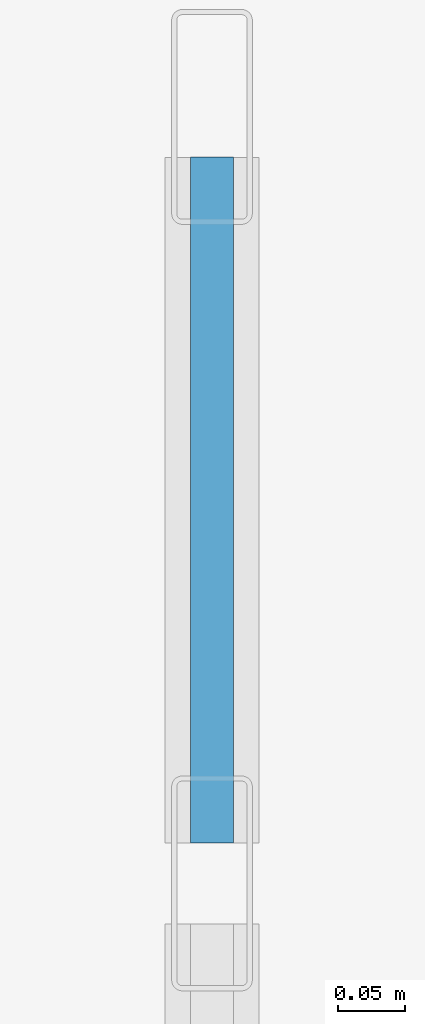
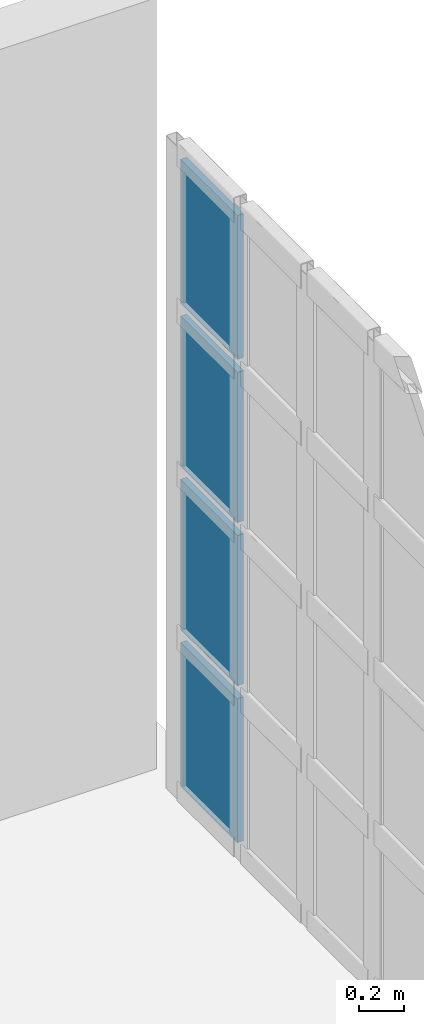
# One storey, part 44 of 56: 4 plates, 1 element without a shape of its own.
"""IFC4 building model written with IfcOpenShell, lengths in metres."""

from ifc_helpers import new_model, si_unit, direction, frame, origin, origin_2d, place, context, subcontext, project, spatial, rectangle, extrude, material, layer, layer_set, type_object, element, aggregate, save


model = new_model("IFC4")

# Units and contexts
model_context = context("Model", 3, precision=1e-05, world=origin(), true_north=direction((0.0, 1.0)))
body_context = subcontext(model_context, "Body", "Model", "MODEL_VIEW")
ifc_project = project(units=[si_unit("LENGTHUNIT", "METRE"), si_unit("AREAUNIT", "SQUARE_METRE"), si_unit("VOLUMEUNIT", "CUBIC_METRE"), si_unit("PLANEANGLEUNIT", "RADIAN"), si_unit("MASSUNIT", "GRAM", prefix="KILO")], contexts=[model_context])

# Site, building, storey
site_placement = place(None, origin())
site = spatial("IfcSite", under=ifc_project, at=site_placement, CompositionType="ELEMENT")
building_placement = place(site_placement, origin())
building = spatial("IfcBuilding", under=site, at=building_placement, Name="Kaelora Sail Theatre", CompositionType="ELEMENT")
storey_placement = place(building_placement, frame((0.0, 0.0, 14.699951171875)))
storey = spatial("IfcBuildingStorey", under=building, at=storey_placement, Name="L03", CompositionType="ELEMENT", Elevation=14.699951171875)

# Curtain wall, plates
ifc_material_1 = material(Name="Anodised aluminium and solar-control low-E IGU", Category="aluminium")
curtain_wall_type = type_object("IfcCurtainWallType", Name="ARC-CW-CW-BRG", PredefinedType="NOTDEFINED", material=ifc_material_1)
curtain_wall_placement = place(storey_placement, origin())
curtain_wall = element("IfcCurtainWall", 1, at=curtain_wall_placement, inside=storey, type_object=curtain_wall_type, Name="Glazed Colonnade/Courtyard Curtain Wall FC1-STEP-E-L03-04", PredefinedType="NOTDEFINED")
ifc_material_2 = material(Name="Solar-control laminated low-E glass", Category="glass")
ifc_layer = layer(ifc_material_2, 0.031982421875)
ifc_layer_set = layer_set([ifc_layer], Name="Solar-control laminated low-E glass")
plate_type = type_object("IfcPlateType", Name="ARC-CW-PNL", PredefinedType="CURTAIN_PANEL", material=ifc_layer_set)
plate_1_placement = place(storey_placement, frame((90.389892578125, 82.485107421875, 0.06982421875), z_axis=(0.0, 0.0, 1.0), x_axis=(0.0, 1.0, 0.0)))
plate_1 = element("IfcPlate", 2, at=plate_1_placement, type_object=plate_type, Name="CW-BRG panel 4.1", PredefinedType="CURTAIN_PANEL", context=body_context, shape_type="SweptSolid", body=[
    extrude(rectangle(XDim=0.510009765625, YDim=0.031982421875, at=origin_2d()), origin(), (0.0, 0.0, 1.0), 0.789306640625),
])
plate_2_placement = place(storey_placement, frame((90.389892578125, 82.485107421875, 0.92919921875), z_axis=(0.0, 0.0, 1.0), x_axis=(0.0, 1.0, 0.0)))
plate_2 = element("IfcPlate", 3, at=plate_2_placement, type_object=plate_type, Name="CW-BRG panel 4.2", PredefinedType="CURTAIN_PANEL", context=body_context, shape_type="SweptSolid", body=[
    extrude(rectangle(XDim=0.510009765625, YDim=0.031982421875, at=origin_2d()), origin(), (0.0, 0.0, 1.0), 0.82421875),
])
plate_3_placement = place(storey_placement, frame((90.389892578125, 82.485107421875, 1.823486328125), z_axis=(0.0, 0.0, 1.0), x_axis=(0.0, 1.0, 0.0)))
plate_3 = element("IfcPlate", 4, at=plate_3_placement, type_object=plate_type, Name="CW-BRG panel 4.3", PredefinedType="CURTAIN_PANEL", context=body_context, shape_type="SweptSolid", body=[
    extrude(rectangle(XDim=0.510009765625, YDim=0.031982421875, at=origin_2d()), origin(), (0.0, 0.0, 1.0), 0.82421875),
])
plate_4_placement = place(storey_placement, frame((90.389892578125, 82.485107421875, 2.7177734375), z_axis=(0.0, 0.0, 1.0), x_axis=(0.0, 1.0, 0.0)))
plate_4 = element("IfcPlate", 5, at=plate_4_placement, type_object=plate_type, Name="CW-BRG panel 4.4", PredefinedType="CURTAIN_PANEL", context=body_context, shape_type="SweptSolid", body=[
    extrude(rectangle(XDim=0.510009765625, YDim=0.031982421875, at=origin_2d()), origin(), (0.0, 0.0, 1.0), 0.789306640625),
])
aggregate(curtain_wall, [plate_1, plate_2, plate_3, plate_4])

save(model, "model.ifc")
